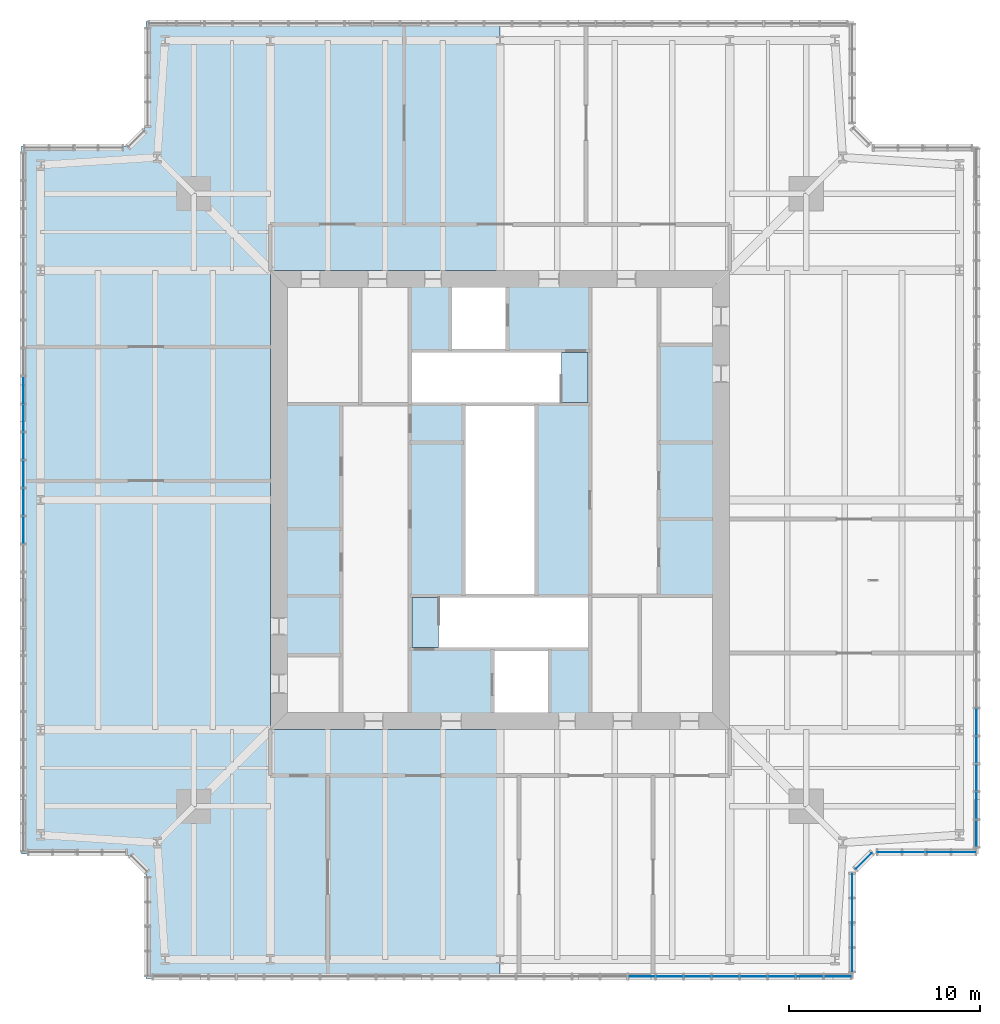
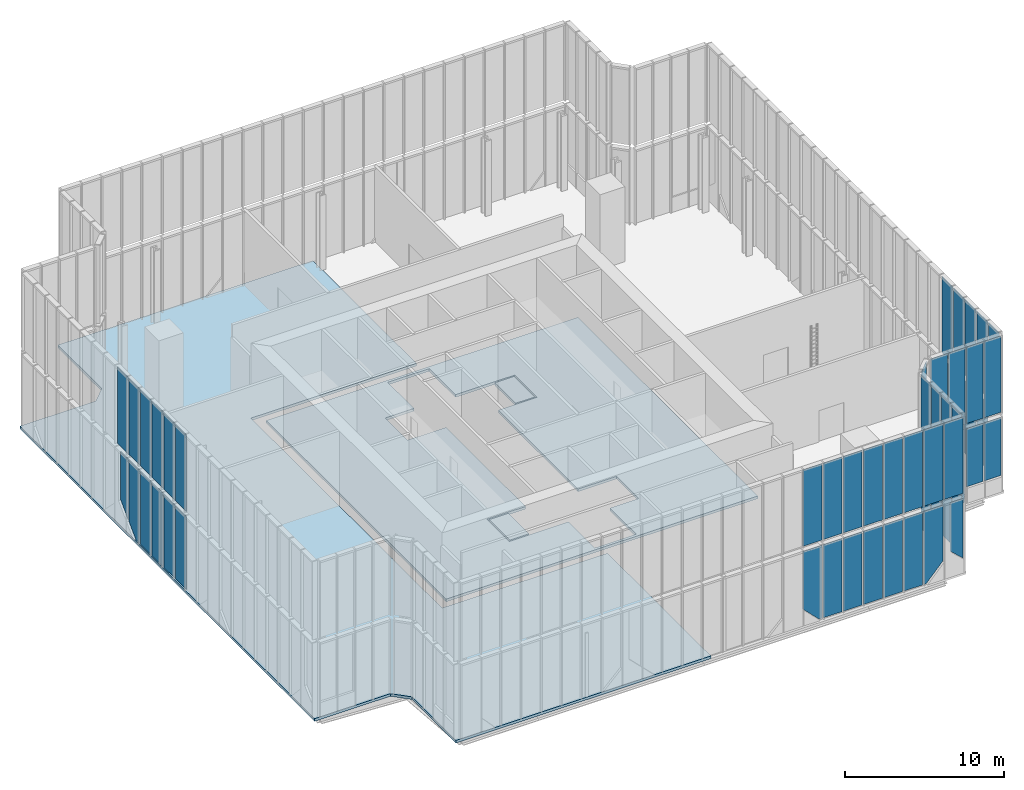
# One storey, part 14 of 25: 55 plates, 4 slabs, 12 elements without a shape of their own.
"""IFC4 building model written with IfcOpenShell, lengths in metres."""

from ifc_helpers import new_model, si_unit, direction, frame, origin, origin_2d, place, context, subcontext, project, spatial, polyline, rectangle, outline, extrude, material, layer, layer_set, type_object, element, aggregate, save


model = new_model("IFC4")

# Units and contexts
model_context = context("Model", 3, precision=1e-05, world=origin(), true_north=direction((0.0, 1.0)))
body_context = subcontext(model_context, "Body", "Model", "MODEL_VIEW")
ifc_project = project(units=[si_unit("LENGTHUNIT", "METRE"), si_unit("AREAUNIT", "SQUARE_METRE"), si_unit("VOLUMEUNIT", "CUBIC_METRE"), si_unit("PLANEANGLEUNIT", "RADIAN"), si_unit("MASSUNIT", "GRAM", prefix="KILO")], contexts=[model_context])

# Site, building, storey
site_placement = place(None, origin())
site = spatial("IfcSite", under=ifc_project, at=site_placement, CompositionType="ELEMENT")
building_placement = place(site_placement, origin())
building = spatial("IfcBuilding", under=site, at=building_placement, Name="Fenwick Lantern Interchange", CompositionType="ELEMENT")
storey_placement = place(building_placement, frame((0.0, 0.0, 307.800048828125)))
storey = spatial("IfcBuildingStorey", under=building, at=storey_placement, Name="L74", CompositionType="ELEMENT", Elevation=307.800048828125)

# Slabs
ifc_material_1 = material(Name="Concrete f'c 35 MPa", Category="concrete")
ifc_layer_1 = layer(ifc_material_1, 0.199951171875)
ifc_layer_set_1 = layer_set([ifc_layer_1], Name="CORE FLOOR SLAB 200")
slab_type_1 = type_object("IfcSlabType", Name="CORE FLOOR SLAB 200", PredefinedType="FLOOR", material=ifc_layer_set_1)
slab_1_placement = place(storey_placement, frame((0.0, 0.0, -0.199951171875)))
element("IfcSlab", 1, at=slab_1_placement, inside=storey, type_object=slab_type_1, Name="L74/SLAB/CORE", PredefinedType="FLOOR", context=body_context, shape_type="SweptSolid", body=[
    extrude(outline(polyline([(13.699951171875, 36.300048828125), (36.300048828125, 36.300048828125), (36.300048828125, 13.699951171875), (13.699951171875, 13.699951171875), (13.699951171875, 36.300048828125)]), holes=[polyline([(27.60009765625, 13.89990234375), (27.60009765625, 17.199951171875), (29.699951171875, 17.199951171875), (29.699951171875, 20.0), (26.89990234375, 20.0), (26.89990234375, 30.0), (29.699951171875, 30.0), (29.699951171875, 32.800048828125), (25.39990234375, 32.800048828125), (25.39990234375, 36.10009765625), (22.39990234375, 36.10009765625), (22.39990234375, 32.800048828125), (20.300048828125, 32.800048828125), (20.300048828125, 30.0), (23.10009765625, 30.0), (23.10009765625, 20.0), (20.300048828125, 20.0), (20.300048828125, 17.199951171875), (24.60009765625, 17.199951171875), (24.60009765625, 13.89990234375), (27.60009765625, 13.89990234375)])]), origin(), (0.0, 0.0, 1.0), 0.199951171875),
])
ifc_material_2 = material(Name="Concrete f'c 35 MPa", Category="concrete")
ifc_layer_2 = layer(ifc_material_2, 0.199951171875)
ifc_layer_set_2 = layer_set([ifc_layer_2], Name="Concrete f'c 35 MPa")
slab_type_2 = type_object("IfcSlabType", Name="FLOOR SLAB 200", PredefinedType="FLOOR", material=ifc_layer_set_2)
slab_2_placement = place(storey_placement, frame((0.0, 0.0, -0.199951171875)))
element("IfcSlab", 2, at=slab_2_placement, inside=storey, type_object=slab_type_2, Name="L74/SLAB/FW", PredefinedType="FLOOR", context=body_context, shape_type="SweptSolid", body=[
    extrude(outline(polyline([(6.5, 0.0), (6.5, 5.5), (5.5, 6.5), (0.0, 6.5), (0.0, 43.5), (5.5, 43.5), (6.5, 44.5), (6.5, 50.0), (25.0, 50.0), (25.0, 37.0), (13.0, 37.0), (13.0, 13.0), (25.0, 13.0), (25.0, 0.0), (6.5, 0.0)])), origin(), (0.0, 0.0, 1.0), 0.199951171875),
])

# Curtain wall, plates
ifc_material_3 = material(Name="Aluminium curtain wall frame", Category="aluminium")
curtain_wall_type = type_object("IfcCurtainWallType", Name="LANTERN GLAZING", PredefinedType="USERDEFINED", material=ifc_material_3)
curtain_wall_1_placement = place(storey_placement, origin())
curtain_wall_1 = element("IfcCurtainWall", 3, at=curtain_wall_1_placement, inside=storey, type_object=curtain_wall_type, Name="Lantern glazing 01", ObjectType="LANTERN GLAZING", PredefinedType="USERDEFINED")
ifc_material_4 = material(Name="Lantern glass, fritted laminated single glazing", Category="glass")
ifc_layer_3 = layer(ifc_material_4, 0.02197265625)
ifc_layer_set_3 = layer_set([ifc_layer_3], Name="LANTERN GLAZING PANEL 22")
plate_type = type_object("IfcPlateType", Name="LANTERN GLAZING PANEL 22", PredefinedType="CURTAIN_PANEL", material=ifc_layer_set_3)
plate_1_placement = place(storey_placement, frame((6.60009765625, 0.10009765625, 0.0), z_axis=(0.0, 0.0, 1.0), x_axis=(1.0, 0.0, 0.0)))
plate_1 = element("IfcPlate", 4, at=plate_1_placement, type_object=plate_type, Name="L74/CW/01/P17a", PredefinedType="CURTAIN_PANEL", context=body_context, shape_type="SweptSolid", body=[
    extrude(outline(polyline([(26.295654296875, 0.0), (26.494384765625, 0.0), (26.494384765625, 5.60986328125), (25.113525390625, 5.60986328125), (25.113525390625, 1.181884765625), (26.295654296875, 0.0)])), frame((0.0, 0.010986328125, 0.0), z_axis=(0.0, -1.0, 0.0), x_axis=(1.0, 0.0, 0.0)), (0.0, 0.0, 1.0), 0.02197265625),
])
plate_2_placement = place(storey_placement, frame((33.86474609375, 0.10009765625, 0.0), z_axis=(0.0, 0.0, 1.0), x_axis=(1.0, 0.0, 0.0)))
plate_2 = element("IfcPlate", 5, at=plate_2_placement, type_object=plate_type, Name="L74/CW/01/P18", PredefinedType="CURTAIN_PANEL", context=body_context, shape_type="SweptSolid", body=[
    extrude(rectangle(XDim=1.380859375, YDim=0.02197265625, at=origin_2d()), origin(), (0.0, 0.0, 1.0), 5.610107421875),
])
plate_3_placement = place(storey_placement, frame((35.32568359375, 0.10009765625, 0.0), z_axis=(0.0, 0.0, 1.0), x_axis=(1.0, 0.0, 0.0)))
plate_3 = element("IfcPlate", 6, at=plate_3_placement, type_object=plate_type, Name="L74/CW/01/P19", PredefinedType="CURTAIN_PANEL", context=body_context, shape_type="SweptSolid", body=[
    extrude(rectangle(XDim=1.380859375, YDim=0.02197265625, at=origin_2d()), origin(), (0.0, 0.0, 1.0), 5.610107421875),
])
plate_4_placement = place(storey_placement, frame((36.786376953125, 0.10009765625, 0.0), z_axis=(0.0, 0.0, 1.0), x_axis=(1.0, 0.0, 0.0)))
plate_4 = element("IfcPlate", 7, at=plate_4_placement, type_object=plate_type, Name="L74/CW/01/P20", PredefinedType="CURTAIN_PANEL", context=body_context, shape_type="SweptSolid", body=[
    extrude(rectangle(XDim=1.380859375, YDim=0.02197265625, at=origin_2d()), origin(), (0.0, 0.0, 1.0), 5.610107421875),
])
plate_5_placement = place(storey_placement, frame((38.247314453125, 0.10009765625, 0.0), z_axis=(0.0, 0.0, 1.0), x_axis=(1.0, 0.0, 0.0)))
plate_5 = element("IfcPlate", 8, at=plate_5_placement, type_object=plate_type, Name="L74/CW/01/P21", PredefinedType="CURTAIN_PANEL", context=body_context, shape_type="SweptSolid", body=[
    extrude(rectangle(XDim=1.380859375, YDim=0.02197265625, at=origin_2d()), origin(), (0.0, 0.0, 1.0), 5.610107421875),
])
plate_6_placement = place(storey_placement, frame((39.7080078125, 0.10009765625, 0.0), z_axis=(0.0, 0.0, 1.0), x_axis=(1.0, 0.0, 0.0)))
plate_6 = element("IfcPlate", 9, at=plate_6_placement, type_object=plate_type, Name="L74/CW/01/P22", PredefinedType="CURTAIN_PANEL", context=body_context, shape_type="SweptSolid", body=[
    extrude(rectangle(XDim=1.380859375, YDim=0.02197265625, at=origin_2d()), origin(), (0.0, 0.0, 1.0), 5.610107421875),
])
plate_7_placement = place(storey_placement, frame((6.60009765625, 0.10009765625, 0.0), z_axis=(0.0, 0.0, 1.0), x_axis=(1.0, 0.0, 0.0)))
plate_7 = element("IfcPlate", 10, at=plate_7_placement, type_object=plate_type, Name="L74/CW/01/P23a", PredefinedType="CURTAIN_PANEL", context=body_context, shape_type="SweptSolid", body=[
    extrude(outline(polyline([(33.87841796875, 0.0), (34.053955078125, 0.0), (35.25927734375, 1.314697265625), (35.25927734375, 5.60986328125), (33.87841796875, 5.60986328125), (33.87841796875, 0.0)])), frame((0.0, 0.010986328125, 0.0), z_axis=(0.0, -1.0, 0.0), x_axis=(1.0, 0.0, 0.0)), (0.0, 0.0, 1.0), 0.02197265625),
])
plate_8_placement = place(storey_placement, frame((6.60009765625, 0.10009765625, 1.0400390625), z_axis=(0.0, 0.0, 1.0), x_axis=(1.0, 0.0, 0.0)))
plate_8 = element("IfcPlate", 11, at=plate_8_placement, type_object=plate_type, Name="L74/CW/01/P24a", PredefinedType="CURTAIN_PANEL", context=body_context, shape_type="SweptSolid", body=[
    extrude(outline(polyline([(36.719970703125, 0.0), (36.719970703125, 4.56982421875), (35.789306640625, 4.56982421875), (35.789306640625, 0.85302734375), (36.719970703125, 0.0)])), frame((0.0, 0.010986328125, 0.0), z_axis=(0.0, -1.0, 0.0), x_axis=(1.0, 0.0, 0.0)), (0.0, 0.0, 1.0), 0.02197265625),
])
aggregate(curtain_wall_1, [plate_1, plate_2, plate_3, plate_4, plate_5, plate_6, plate_7, plate_8])

curtain_wall_2_placement = place(storey_placement, origin())
curtain_wall_2 = element("IfcCurtainWall", 12, at=curtain_wall_2_placement, inside=storey, type_object=curtain_wall_type, Name="Lantern glazing 02", ObjectType="LANTERN GLAZING", PredefinedType="USERDEFINED")
plate_9_placement = place(storey_placement, frame((43.39990234375, 0.10009765625, 1.14990234375), z_axis=(0.0, 0.0, 1.0), x_axis=(0.0, 1.0, 0.0)))
plate_9 = element("IfcPlate", 13, at=plate_9_placement, type_object=plate_type, Name="L74/CW/02/P00a", PredefinedType="CURTAIN_PANEL", context=body_context, shape_type="SweptSolid", body=[
    extrude(outline(polyline([(0.280029296875, 0.0), (1.490234375, 0.0), (1.490234375, 4.4599609375), (0.280029296875, 4.4599609375), (0.280029296875, 0.0)])), frame((0.0, 0.010986328125, 0.0), z_axis=(0.0, -1.0, 0.0), x_axis=(1.0, 0.0, 0.0)), (0.0, 0.0, 1.0), 0.02197265625),
])
plate_10_placement = place(storey_placement, frame((43.39990234375, 0.10009765625, 1.14990234375), z_axis=(0.0, 0.0, 1.0), x_axis=(0.0, 1.0, 0.0)))
plate_10 = element("IfcPlate", 14, at=plate_10_placement, type_object=plate_type, Name="L74/CW/02/P01a", PredefinedType="CURTAIN_PANEL", context=body_context, shape_type="SweptSolid", body=[
    extrude(outline(polyline([(1.5703125, 0.0), (2.699951171875, 0.0), (2.699951171875, 4.4599609375), (1.5703125, 4.4599609375), (1.5703125, 0.0)])), frame((0.0, 0.010986328125, 0.0), z_axis=(0.0, -1.0, 0.0), x_axis=(1.0, 0.0, 0.0)), (0.0, 0.0, 1.0), 0.02197265625),
])
plate_11_placement = place(storey_placement, frame((43.39990234375, 3.56591796875, 0.0), z_axis=(0.0, 0.0, 1.0), x_axis=(0.0, 1.0, 0.0)))
plate_11 = element("IfcPlate", 15, at=plate_11_placement, type_object=plate_type, Name="L74/CW/02/P02", PredefinedType="CURTAIN_PANEL", context=body_context, shape_type="SweptSolid", body=[
    extrude(rectangle(XDim=1.21044921875, YDim=0.02197265625, at=origin_2d()), origin(), (0.0, 0.0, 1.0), 5.610107421875),
])
plate_12_placement = place(storey_placement, frame((43.39990234375, 4.856201171875, 0.0), z_axis=(0.0, 0.0, 1.0), x_axis=(0.0, 1.0, 0.0)))
plate_12 = element("IfcPlate", 16, at=plate_12_placement, type_object=plate_type, Name="L74/CW/02/P03", PredefinedType="CURTAIN_PANEL", context=body_context, shape_type="SweptSolid", body=[
    extrude(rectangle(XDim=1.21044921875, YDim=0.02197265625, at=origin_2d()), origin(), (0.0, 0.0, 1.0), 5.610107421875),
])
aggregate(curtain_wall_2, [plate_9, plate_10, plate_11, plate_12])

# Curtain wall, plate
curtain_wall_3_placement = place(storey_placement, origin())
curtain_wall_3 = element("IfcCurtainWall", 17, at=curtain_wall_3_placement, inside=storey, type_object=curtain_wall_type, Name="Lantern glazing 03", ObjectType="LANTERN GLAZING", PredefinedType="USERDEFINED")
plate_13_placement = place(storey_placement, frame((44.0, 6.141357421875, 0.0), z_axis=(0.0, 0.0, 1.0), x_axis=(0.707106781187, 0.707106781187, 0.0)))
plate_13 = element("IfcPlate", 18, at=plate_13_placement, type_object=plate_type, Name="L74/CW/03/P00", PredefinedType="CURTAIN_PANEL", context=body_context, shape_type="SweptSolid", body=[
    extrude(rectangle(XDim=1.136962890625, YDim=0.02197265625, at=origin_2d()), origin(), (0.0, 0.0, 1.0), 5.610107421875),
])
aggregate(curtain_wall_3, [plate_13])

# Curtain wall, plates
curtain_wall_4_placement = place(storey_placement, origin())
curtain_wall_4 = element("IfcCurtainWall", 19, at=curtain_wall_4_placement, inside=storey, type_object=curtain_wall_type, Name="Lantern glazing 04", ObjectType="LANTERN GLAZING", PredefinedType="USERDEFINED")
plate_14_placement = place(storey_placement, frame((45.34375, 6.60009765625, 0.0), z_axis=(0.0, 0.0, 1.0), x_axis=(1.0, 0.0, 0.0)))
plate_14 = element("IfcPlate", 20, at=plate_14_placement, type_object=plate_type, Name="L74/CW/04/P00", PredefinedType="CURTAIN_PANEL", context=body_context, shape_type="SweptSolid", body=[
    extrude(rectangle(XDim=1.21044921875, YDim=0.02197265625, at=origin_2d()), origin(), (0.0, 0.0, 1.0), 5.610107421875),
])
plate_15_placement = place(storey_placement, frame((44.45849609375, 6.60009765625, 0.0), z_axis=(0.0, 0.0, 1.0), x_axis=(1.0, 0.0, 0.0)))
plate_15 = element("IfcPlate", 21, at=plate_15_placement, type_object=plate_type, Name="L74/CW/04/P01a", PredefinedType="CURTAIN_PANEL", context=body_context, shape_type="SweptSolid", body=[
    extrude(outline(polyline([(1.5703125, 0.0), (2.741455078125, 0.0), (2.741455078125, 5.60986328125), (1.5703125, 5.60986328125), (1.5703125, 0.0)])), frame((0.0, 0.010986328125, 0.0), z_axis=(0.0, -1.0, 0.0), x_axis=(1.0, 0.0, 0.0)), (0.0, 0.0, 1.0), 0.02197265625),
])
plate_16_placement = place(storey_placement, frame((44.45849609375, 6.60009765625, 1.14990234375), z_axis=(0.0, 0.0, 1.0), x_axis=(1.0, 0.0, 0.0)))
plate_16 = element("IfcPlate", 22, at=plate_16_placement, type_object=plate_type, Name="L74/CW/04/P02a", PredefinedType="CURTAIN_PANEL", context=body_context, shape_type="SweptSolid", body=[
    extrude(outline(polyline([(2.860595703125, 0.0), (4.071044921875, 0.0), (4.071044921875, 4.4599609375), (2.860595703125, 4.4599609375), (2.860595703125, 0.0)])), frame((0.0, 0.010986328125, 0.0), z_axis=(0.0, -1.0, 0.0), x_axis=(1.0, 0.0, 0.0)), (0.0, 0.0, 1.0), 0.02197265625),
])
plate_17_placement = place(storey_placement, frame((44.45849609375, 6.60009765625, 1.14990234375), z_axis=(0.0, 0.0, 1.0), x_axis=(1.0, 0.0, 0.0)))
plate_17 = element("IfcPlate", 23, at=plate_17_placement, type_object=plate_type, Name="L74/CW/04/P03a", PredefinedType="CURTAIN_PANEL", context=body_context, shape_type="SweptSolid", body=[
    extrude(outline(polyline([(4.151123046875, 0.0), (5.361328125, 0.0), (5.361328125, 4.4599609375), (4.151123046875, 4.4599609375), (4.151123046875, 0.0)])), frame((0.0, 0.010986328125, 0.0), z_axis=(0.0, -1.0, 0.0), x_axis=(1.0, 0.0, 0.0)), (0.0, 0.0, 1.0), 0.02197265625),
])
aggregate(curtain_wall_4, [plate_14, plate_15, plate_16, plate_17])

curtain_wall_5_placement = place(storey_placement, origin())
curtain_wall_5 = element("IfcCurtainWall", 24, at=curtain_wall_5_placement, inside=storey, type_object=curtain_wall_type, Name="Lantern glazing 05", ObjectType="LANTERN GLAZING", PredefinedType="USERDEFINED")
plate_18_placement = place(storey_placement, frame((49.89990234375, 6.60009765625, 0.0), z_axis=(0.0, 0.0, 1.0), x_axis=(0.0, 1.0, 0.0)))
plate_18 = element("IfcPlate", 25, at=plate_18_placement, type_object=plate_type, Name="L74/CW/05/P01a", PredefinedType="CURTAIN_PANEL", context=body_context, shape_type="SweptSolid", body=[
    extrude(outline(polyline([(2.74609375, 0.0), (3.12158203125, 0.0), (3.12158203125, 5.60986328125), (1.74072265625, 5.60986328125), (1.74072265625, 1.096435546875), (2.74609375, 0.0)])), frame((0.0, 0.010986328125, 0.0), z_axis=(0.0, -1.0, 0.0), x_axis=(1.0, 0.0, 0.0)), (0.0, 0.0, 1.0), 0.02197265625),
])
plate_19_placement = place(storey_placement, frame((49.89990234375, 10.491943359375, 0.0), z_axis=(0.0, 0.0, 1.0), x_axis=(0.0, 1.0, 0.0)))
plate_19 = element("IfcPlate", 26, at=plate_19_placement, type_object=plate_type, Name="L74/CW/05/P02", PredefinedType="CURTAIN_PANEL", context=body_context, shape_type="SweptSolid", body=[
    extrude(rectangle(XDim=1.380859375, YDim=0.02197265625, at=origin_2d()), origin(), (0.0, 0.0, 1.0), 5.610107421875),
])
plate_20_placement = place(storey_placement, frame((49.89990234375, 11.952880859375, 0.0), z_axis=(0.0, 0.0, 1.0), x_axis=(0.0, 1.0, 0.0)))
plate_20 = element("IfcPlate", 27, at=plate_20_placement, type_object=plate_type, Name="L74/CW/05/P03", PredefinedType="CURTAIN_PANEL", context=body_context, shape_type="SweptSolid", body=[
    extrude(rectangle(XDim=1.380859375, YDim=0.02197265625, at=origin_2d()), origin(), (0.0, 0.0, 1.0), 5.610107421875),
])
plate_21_placement = place(storey_placement, frame((49.89990234375, 13.41357421875, 0.0), z_axis=(0.0, 0.0, 1.0), x_axis=(0.0, 1.0, 0.0)))
plate_21 = element("IfcPlate", 28, at=plate_21_placement, type_object=plate_type, Name="L74/CW/05/P04", PredefinedType="CURTAIN_PANEL", context=body_context, shape_type="SweptSolid", body=[
    extrude(rectangle(XDim=1.380859375, YDim=0.02197265625, at=origin_2d()), origin(), (0.0, 0.0, 1.0), 5.610107421875),
])
aggregate(curtain_wall_5, [plate_18, plate_19, plate_20, plate_21])

curtain_wall_6_placement = place(storey_placement, origin())
curtain_wall_6 = element("IfcCurtainWall", 29, at=curtain_wall_6_placement, inside=storey, type_object=curtain_wall_type, Name="Lantern glazing 13", ObjectType="LANTERN GLAZING", PredefinedType="USERDEFINED")
plate_22_placement = place(storey_placement, frame((0.10009765625, 43.39990234375, 0.9482421875), z_axis=(0.0, 0.0, 1.0), x_axis=(0.0, -1.0, 0.0)))
plate_22 = element("IfcPlate", 30, at=plate_22_placement, type_object=plate_type, Name="L74/CW/13/P08a", PredefinedType="CURTAIN_PANEL", context=body_context, shape_type="SweptSolid", body=[
    extrude(outline(polyline([(13.34716796875, 0.0), (13.34716796875, 4.66162109375), (12.39990234375, 4.66162109375), (12.39990234375, 0.947265625), (13.34716796875, 0.0)])), frame((0.0, 0.010986328125, 0.0), z_axis=(0.0, -1.0, 0.0), x_axis=(1.0, 0.0, 0.0)), (0.0, 0.0, 1.0), 0.02197265625),
])
plate_23_placement = place(storey_placement, frame((0.10009765625, 43.39990234375, 0.0), z_axis=(0.0, 0.0, 1.0), x_axis=(0.0, -1.0, 0.0)))
plate_23 = element("IfcPlate", 31, at=plate_23_placement, type_object=plate_type, Name="L74/CW/13/P09a", PredefinedType="CURTAIN_PANEL", context=body_context, shape_type="SweptSolid", body=[
    extrude(outline(polyline([(14.295654296875, 0.0), (14.80810546875, 0.0), (14.80810546875, 5.60986328125), (13.42724609375, 5.60986328125), (13.42724609375, 0.868408203125), (14.295654296875, 0.0)])), frame((0.0, 0.010986328125, 0.0), z_axis=(0.0, -1.0, 0.0), x_axis=(1.0, 0.0, 0.0)), (0.0, 0.0, 1.0), 0.02197265625),
])
plate_24_placement = place(storey_placement, frame((0.10009765625, 27.821533203125, 0.0), z_axis=(0.0, 0.0, 1.0), x_axis=(0.0, -1.0, 0.0)))
plate_24 = element("IfcPlate", 32, at=plate_24_placement, type_object=plate_type, Name="L74/CW/13/P10", PredefinedType="CURTAIN_PANEL", context=body_context, shape_type="SweptSolid", body=[
    extrude(rectangle(XDim=1.380859375, YDim=0.02197265625, at=origin_2d()), origin(), (0.0, 0.0, 1.0), 5.610107421875),
])
plate_25_placement = place(storey_placement, frame((0.10009765625, 26.36083984375, 0.0), z_axis=(0.0, 0.0, 1.0), x_axis=(0.0, -1.0, 0.0)))
plate_25 = element("IfcPlate", 33, at=plate_25_placement, type_object=plate_type, Name="L74/CW/13/P11", PredefinedType="CURTAIN_PANEL", context=body_context, shape_type="SweptSolid", body=[
    extrude(rectangle(XDim=1.380859375, YDim=0.02197265625, at=origin_2d()), origin(), (0.0, 0.0, 1.0), 5.610107421875),
])
plate_26_placement = place(storey_placement, frame((0.10009765625, 24.89990234375, 0.0), z_axis=(0.0, 0.0, 1.0), x_axis=(0.0, -1.0, 0.0)))
plate_26 = element("IfcPlate", 34, at=plate_26_placement, type_object=plate_type, Name="L74/CW/13/P12", PredefinedType="CURTAIN_PANEL", context=body_context, shape_type="SweptSolid", body=[
    extrude(rectangle(XDim=1.380859375, YDim=0.02197265625, at=origin_2d()), origin(), (0.0, 0.0, 1.0), 5.610107421875),
])
plate_27_placement = place(storey_placement, frame((0.10009765625, 23.439208984375, 0.0), z_axis=(0.0, 0.0, 1.0), x_axis=(0.0, -1.0, 0.0)))
plate_27 = element("IfcPlate", 35, at=plate_27_placement, type_object=plate_type, Name="L74/CW/13/P13", PredefinedType="CURTAIN_PANEL", context=body_context, shape_type="SweptSolid", body=[
    extrude(rectangle(XDim=1.380859375, YDim=0.02197265625, at=origin_2d()), origin(), (0.0, 0.0, 1.0), 5.610107421875),
])
aggregate(curtain_wall_6, [plate_22, plate_23, plate_24, plate_25, plate_26, plate_27])

curtain_wall_7_placement = place(storey_placement, origin())
curtain_wall_7 = element("IfcCurtainWall", 36, at=curtain_wall_7_placement, inside=storey, type_object=curtain_wall_type, Name="Lantern glazing 01", ObjectType="LANTERN GLAZING", PredefinedType="USERDEFINED")
plate_28_placement = place(storey_placement, frame((32.404052734375, 0.10009765625, 6.0), z_axis=(0.0, 0.0, 1.0), x_axis=(1.0, 0.0, 0.0)))
plate_28 = element("IfcPlate", 37, at=plate_28_placement, type_object=plate_type, Name="RF/LANTERN/01/P17", PredefinedType="CURTAIN_PANEL", context=body_context, shape_type="SweptSolid", body=[
    extrude(rectangle(XDim=1.380859375, YDim=0.02197265625, at=origin_2d()), origin(), (0.0, 0.0, 1.0), 5.860107421875),
])
plate_29_placement = place(storey_placement, frame((33.86474609375, 0.10009765625, 6.0), z_axis=(0.0, 0.0, 1.0), x_axis=(1.0, 0.0, 0.0)))
plate_29 = element("IfcPlate", 38, at=plate_29_placement, type_object=plate_type, Name="RF/LANTERN/01/P18", PredefinedType="CURTAIN_PANEL", context=body_context, shape_type="SweptSolid", body=[
    extrude(rectangle(XDim=1.380859375, YDim=0.02197265625, at=origin_2d()), origin(), (0.0, 0.0, 1.0), 5.860107421875),
])
plate_30_placement = place(storey_placement, frame((35.32568359375, 0.10009765625, 6.0), z_axis=(0.0, 0.0, 1.0), x_axis=(1.0, 0.0, 0.0)))
plate_30 = element("IfcPlate", 39, at=plate_30_placement, type_object=plate_type, Name="RF/LANTERN/01/P19", PredefinedType="CURTAIN_PANEL", context=body_context, shape_type="SweptSolid", body=[
    extrude(rectangle(XDim=1.380859375, YDim=0.02197265625, at=origin_2d()), origin(), (0.0, 0.0, 1.0), 5.860107421875),
])
plate_31_placement = place(storey_placement, frame((36.786376953125, 0.10009765625, 6.0), z_axis=(0.0, 0.0, 1.0), x_axis=(1.0, 0.0, 0.0)))
plate_31 = element("IfcPlate", 40, at=plate_31_placement, type_object=plate_type, Name="RF/LANTERN/01/P20", PredefinedType="CURTAIN_PANEL", context=body_context, shape_type="SweptSolid", body=[
    extrude(rectangle(XDim=1.380859375, YDim=0.02197265625, at=origin_2d()), origin(), (0.0, 0.0, 1.0), 5.860107421875),
])
plate_32_placement = place(storey_placement, frame((38.247314453125, 0.10009765625, 6.0), z_axis=(0.0, 0.0, 1.0), x_axis=(1.0, 0.0, 0.0)))
plate_32 = element("IfcPlate", 41, at=plate_32_placement, type_object=plate_type, Name="RF/LANTERN/01/P21", PredefinedType="CURTAIN_PANEL", context=body_context, shape_type="SweptSolid", body=[
    extrude(rectangle(XDim=1.380859375, YDim=0.02197265625, at=origin_2d()), origin(), (0.0, 0.0, 1.0), 5.860107421875),
])
plate_33_placement = place(storey_placement, frame((39.7080078125, 0.10009765625, 6.0), z_axis=(0.0, 0.0, 1.0), x_axis=(1.0, 0.0, 0.0)))
plate_33 = element("IfcPlate", 42, at=plate_33_placement, type_object=plate_type, Name="RF/LANTERN/01/P22", PredefinedType="CURTAIN_PANEL", context=body_context, shape_type="SweptSolid", body=[
    extrude(rectangle(XDim=1.380859375, YDim=0.02197265625, at=origin_2d()), origin(), (0.0, 0.0, 1.0), 5.860107421875),
])
plate_34_placement = place(storey_placement, frame((41.168701171875, 0.10009765625, 6.0), z_axis=(0.0, 0.0, 1.0), x_axis=(1.0, 0.0, 0.0)))
plate_34 = element("IfcPlate", 43, at=plate_34_placement, type_object=plate_type, Name="RF/LANTERN/01/P23", PredefinedType="CURTAIN_PANEL", context=body_context, shape_type="SweptSolid", body=[
    extrude(rectangle(XDim=1.380859375, YDim=0.02197265625, at=origin_2d()), origin(), (0.0, 0.0, 1.0), 5.860107421875),
])
plate_35_placement = place(storey_placement, frame((42.629638671875, 0.10009765625, 6.0), z_axis=(0.0, 0.0, 1.0), x_axis=(1.0, 0.0, 0.0)))
plate_35 = element("IfcPlate", 44, at=plate_35_placement, type_object=plate_type, Name="RF/LANTERN/01/P24", PredefinedType="CURTAIN_PANEL", context=body_context, shape_type="SweptSolid", body=[
    extrude(rectangle(XDim=1.380859375, YDim=0.02197265625, at=origin_2d()), origin(), (0.0, 0.0, 1.0), 5.860107421875),
])
aggregate(curtain_wall_7, [plate_28, plate_29, plate_30, plate_31, plate_32, plate_33, plate_34, plate_35])

curtain_wall_8_placement = place(storey_placement, origin())
curtain_wall_8 = element("IfcCurtainWall", 45, at=curtain_wall_8_placement, inside=storey, type_object=curtain_wall_type, Name="Lantern glazing 02", ObjectType="LANTERN GLAZING", PredefinedType="USERDEFINED")
plate_36_placement = place(storey_placement, frame((43.39990234375, 0.985107421875, 6.0), z_axis=(0.0, 0.0, 1.0), x_axis=(0.0, 1.0, 0.0)))
plate_36 = element("IfcPlate", 46, at=plate_36_placement, type_object=plate_type, Name="RF/LANTERN/02/P00", PredefinedType="CURTAIN_PANEL", context=body_context, shape_type="SweptSolid", body=[
    extrude(rectangle(XDim=1.21044921875, YDim=0.02197265625, at=origin_2d()), origin(), (0.0, 0.0, 1.0), 5.860107421875),
])
plate_37_placement = place(storey_placement, frame((43.39990234375, 2.275634765625, 6.0), z_axis=(0.0, 0.0, 1.0), x_axis=(0.0, 1.0, 0.0)))
plate_37 = element("IfcPlate", 47, at=plate_37_placement, type_object=plate_type, Name="RF/LANTERN/02/P01", PredefinedType="CURTAIN_PANEL", context=body_context, shape_type="SweptSolid", body=[
    extrude(rectangle(XDim=1.21044921875, YDim=0.02197265625, at=origin_2d()), origin(), (0.0, 0.0, 1.0), 5.860107421875),
])
plate_38_placement = place(storey_placement, frame((43.39990234375, 3.56591796875, 6.0), z_axis=(0.0, 0.0, 1.0), x_axis=(0.0, 1.0, 0.0)))
plate_38 = element("IfcPlate", 48, at=plate_38_placement, type_object=plate_type, Name="RF/LANTERN/02/P02", PredefinedType="CURTAIN_PANEL", context=body_context, shape_type="SweptSolid", body=[
    extrude(rectangle(XDim=1.21044921875, YDim=0.02197265625, at=origin_2d()), origin(), (0.0, 0.0, 1.0), 5.860107421875),
])
plate_39_placement = place(storey_placement, frame((43.39990234375, 4.856201171875, 6.0), z_axis=(0.0, 0.0, 1.0), x_axis=(0.0, 1.0, 0.0)))
plate_39 = element("IfcPlate", 49, at=plate_39_placement, type_object=plate_type, Name="RF/LANTERN/02/P03", PredefinedType="CURTAIN_PANEL", context=body_context, shape_type="SweptSolid", body=[
    extrude(rectangle(XDim=1.21044921875, YDim=0.02197265625, at=origin_2d()), origin(), (0.0, 0.0, 1.0), 5.860107421875),
])
aggregate(curtain_wall_8, [plate_36, plate_37, plate_38, plate_39])

# Curtain wall, plate
curtain_wall_9_placement = place(storey_placement, origin())
curtain_wall_9 = element("IfcCurtainWall", 50, at=curtain_wall_9_placement, inside=storey, type_object=curtain_wall_type, Name="Lantern glazing 03", ObjectType="LANTERN GLAZING", PredefinedType="USERDEFINED")
plate_40_placement = place(storey_placement, frame((44.0, 6.141357421875, 6.0), z_axis=(0.0, 0.0, 1.0), x_axis=(0.707106781187, 0.707106781187, 0.0)))
plate_40 = element("IfcPlate", 51, at=plate_40_placement, type_object=plate_type, Name="RF/LANTERN/03/P00", PredefinedType="CURTAIN_PANEL", context=body_context, shape_type="SweptSolid", body=[
    extrude(rectangle(XDim=1.136962890625, YDim=0.02197265625, at=origin_2d()), origin(), (0.0, 0.0, 1.0), 5.860107421875),
])
aggregate(curtain_wall_9, [plate_40])

# Curtain wall, plates
curtain_wall_10_placement = place(storey_placement, origin())
curtain_wall_10 = element("IfcCurtainWall", 52, at=curtain_wall_10_placement, inside=storey, type_object=curtain_wall_type, Name="Lantern glazing 04", ObjectType="LANTERN GLAZING", PredefinedType="USERDEFINED")
plate_41_placement = place(storey_placement, frame((45.34375, 6.60009765625, 6.0), z_axis=(0.0, 0.0, 1.0), x_axis=(1.0, 0.0, 0.0)))
plate_41 = element("IfcPlate", 53, at=plate_41_placement, type_object=plate_type, Name="RF/LANTERN/04/P00", PredefinedType="CURTAIN_PANEL", context=body_context, shape_type="SweptSolid", body=[
    extrude(rectangle(XDim=1.21044921875, YDim=0.02197265625, at=origin_2d()), origin(), (0.0, 0.0, 1.0), 5.860107421875),
])
plate_42_placement = place(storey_placement, frame((46.634033203125, 6.60009765625, 6.0), z_axis=(0.0, 0.0, 1.0), x_axis=(1.0, 0.0, 0.0)))
plate_42 = element("IfcPlate", 54, at=plate_42_placement, type_object=plate_type, Name="RF/LANTERN/04/P01", PredefinedType="CURTAIN_PANEL", context=body_context, shape_type="SweptSolid", body=[
    extrude(rectangle(XDim=1.21044921875, YDim=0.02197265625, at=origin_2d()), origin(), (0.0, 0.0, 1.0), 5.860107421875),
])
plate_43_placement = place(storey_placement, frame((47.924560546875, 6.60009765625, 6.0), z_axis=(0.0, 0.0, 1.0), x_axis=(1.0, 0.0, 0.0)))
plate_43 = element("IfcPlate", 55, at=plate_43_placement, type_object=plate_type, Name="RF/LANTERN/04/P02", PredefinedType="CURTAIN_PANEL", context=body_context, shape_type="SweptSolid", body=[
    extrude(rectangle(XDim=1.21044921875, YDim=0.02197265625, at=origin_2d()), origin(), (0.0, 0.0, 1.0), 5.860107421875),
])
plate_44_placement = place(storey_placement, frame((49.21484375, 6.60009765625, 6.0), z_axis=(0.0, 0.0, 1.0), x_axis=(1.0, 0.0, 0.0)))
plate_44 = element("IfcPlate", 56, at=plate_44_placement, type_object=plate_type, Name="RF/LANTERN/04/P03", PredefinedType="CURTAIN_PANEL", context=body_context, shape_type="SweptSolid", body=[
    extrude(rectangle(XDim=1.21044921875, YDim=0.02197265625, at=origin_2d()), origin(), (0.0, 0.0, 1.0), 5.860107421875),
])
aggregate(curtain_wall_10, [plate_41, plate_42, plate_43, plate_44])

curtain_wall_11_placement = place(storey_placement, origin())
curtain_wall_11 = element("IfcCurtainWall", 57, at=curtain_wall_11_placement, inside=storey, type_object=curtain_wall_type, Name="Lantern glazing 05", ObjectType="LANTERN GLAZING", PredefinedType="USERDEFINED")
plate_45_placement = place(storey_placement, frame((49.89990234375, 7.5703125, 6.0), z_axis=(0.0, 0.0, 1.0), x_axis=(0.0, 1.0, 0.0)))
plate_45 = element("IfcPlate", 58, at=plate_45_placement, type_object=plate_type, Name="RF/LANTERN/05/P00", PredefinedType="CURTAIN_PANEL", context=body_context, shape_type="SweptSolid", body=[
    extrude(rectangle(XDim=1.380859375, YDim=0.02197265625, at=origin_2d()), origin(), (0.0, 0.0, 1.0), 5.860107421875),
])
plate_46_placement = place(storey_placement, frame((49.89990234375, 9.03125, 6.0), z_axis=(0.0, 0.0, 1.0), x_axis=(0.0, 1.0, 0.0)))
plate_46 = element("IfcPlate", 59, at=plate_46_placement, type_object=plate_type, Name="RF/LANTERN/05/P01", PredefinedType="CURTAIN_PANEL", context=body_context, shape_type="SweptSolid", body=[
    extrude(rectangle(XDim=1.380859375, YDim=0.02197265625, at=origin_2d()), origin(), (0.0, 0.0, 1.0), 5.860107421875),
])
plate_47_placement = place(storey_placement, frame((49.89990234375, 10.491943359375, 6.0), z_axis=(0.0, 0.0, 1.0), x_axis=(0.0, 1.0, 0.0)))
plate_47 = element("IfcPlate", 60, at=plate_47_placement, type_object=plate_type, Name="RF/LANTERN/05/P02", PredefinedType="CURTAIN_PANEL", context=body_context, shape_type="SweptSolid", body=[
    extrude(rectangle(XDim=1.380859375, YDim=0.02197265625, at=origin_2d()), origin(), (0.0, 0.0, 1.0), 5.860107421875),
])
plate_48_placement = place(storey_placement, frame((49.89990234375, 11.952880859375, 6.0), z_axis=(0.0, 0.0, 1.0), x_axis=(0.0, 1.0, 0.0)))
plate_48 = element("IfcPlate", 61, at=plate_48_placement, type_object=plate_type, Name="RF/LANTERN/05/P03", PredefinedType="CURTAIN_PANEL", context=body_context, shape_type="SweptSolid", body=[
    extrude(rectangle(XDim=1.380859375, YDim=0.02197265625, at=origin_2d()), origin(), (0.0, 0.0, 1.0), 5.860107421875),
])
plate_49_placement = place(storey_placement, frame((49.89990234375, 13.41357421875, 6.0), z_axis=(0.0, 0.0, 1.0), x_axis=(0.0, 1.0, 0.0)))
plate_49 = element("IfcPlate", 62, at=plate_49_placement, type_object=plate_type, Name="RF/LANTERN/05/P04", PredefinedType="CURTAIN_PANEL", context=body_context, shape_type="SweptSolid", body=[
    extrude(rectangle(XDim=1.380859375, YDim=0.02197265625, at=origin_2d()), origin(), (0.0, 0.0, 1.0), 5.860107421875),
])
aggregate(curtain_wall_11, [plate_45, plate_46, plate_47, plate_48, plate_49])

curtain_wall_12_placement = place(storey_placement, origin())
curtain_wall_12 = element("IfcCurtainWall", 63, at=curtain_wall_12_placement, inside=storey, type_object=curtain_wall_type, Name="Lantern glazing 13", ObjectType="LANTERN GLAZING", PredefinedType="USERDEFINED")
plate_50_placement = place(storey_placement, frame((0.10009765625, 30.7431640625, 6.0), z_axis=(0.0, 0.0, 1.0), x_axis=(0.0, -1.0, 0.0)))
plate_50 = element("IfcPlate", 64, at=plate_50_placement, type_object=plate_type, Name="RF/LANTERN/13/P08", PredefinedType="CURTAIN_PANEL", context=body_context, shape_type="SweptSolid", body=[
    extrude(rectangle(XDim=1.380859375, YDim=0.02197265625, at=origin_2d()), origin(), (0.0, 0.0, 1.0), 5.860107421875),
])
plate_51_placement = place(storey_placement, frame((0.10009765625, 29.282470703125, 6.0), z_axis=(0.0, 0.0, 1.0), x_axis=(0.0, -1.0, 0.0)))
plate_51 = element("IfcPlate", 65, at=plate_51_placement, type_object=plate_type, Name="RF/LANTERN/13/P09", PredefinedType="CURTAIN_PANEL", context=body_context, shape_type="SweptSolid", body=[
    extrude(rectangle(XDim=1.380859375, YDim=0.02197265625, at=origin_2d()), origin(), (0.0, 0.0, 1.0), 5.860107421875),
])
plate_52_placement = place(storey_placement, frame((0.10009765625, 27.821533203125, 6.0), z_axis=(0.0, 0.0, 1.0), x_axis=(0.0, -1.0, 0.0)))
plate_52 = element("IfcPlate", 66, at=plate_52_placement, type_object=plate_type, Name="RF/LANTERN/13/P10", PredefinedType="CURTAIN_PANEL", context=body_context, shape_type="SweptSolid", body=[
    extrude(rectangle(XDim=1.380859375, YDim=0.02197265625, at=origin_2d()), origin(), (0.0, 0.0, 1.0), 5.860107421875),
])
plate_53_placement = place(storey_placement, frame((0.10009765625, 26.36083984375, 6.0), z_axis=(0.0, 0.0, 1.0), x_axis=(0.0, -1.0, 0.0)))
plate_53 = element("IfcPlate", 67, at=plate_53_placement, type_object=plate_type, Name="RF/LANTERN/13/P11", PredefinedType="CURTAIN_PANEL", context=body_context, shape_type="SweptSolid", body=[
    extrude(rectangle(XDim=1.380859375, YDim=0.02197265625, at=origin_2d()), origin(), (0.0, 0.0, 1.0), 5.860107421875),
])
plate_54_placement = place(storey_placement, frame((0.10009765625, 24.89990234375, 6.0), z_axis=(0.0, 0.0, 1.0), x_axis=(0.0, -1.0, 0.0)))
plate_54 = element("IfcPlate", 68, at=plate_54_placement, type_object=plate_type, Name="RF/LANTERN/13/P12", PredefinedType="CURTAIN_PANEL", context=body_context, shape_type="SweptSolid", body=[
    extrude(rectangle(XDim=1.380859375, YDim=0.02197265625, at=origin_2d()), origin(), (0.0, 0.0, 1.0), 5.860107421875),
])
plate_55_placement = place(storey_placement, frame((0.10009765625, 23.439208984375, 6.0), z_axis=(0.0, 0.0, 1.0), x_axis=(0.0, -1.0, 0.0)))
plate_55 = element("IfcPlate", 69, at=plate_55_placement, type_object=plate_type, Name="RF/LANTERN/13/P13", PredefinedType="CURTAIN_PANEL", context=body_context, shape_type="SweptSolid", body=[
    extrude(rectangle(XDim=1.380859375, YDim=0.02197265625, at=origin_2d()), origin(), (0.0, 0.0, 1.0), 5.860107421875),
])
aggregate(curtain_wall_12, [plate_50, plate_51, plate_52, plate_53, plate_54, plate_55])

# Slabs
ifc_layer_4 = layer(ifc_material_1, 0.199951171875)
ifc_layer_set_4 = layer_set([ifc_layer_4], Name="STAIR LANDING 200")
slab_type_3 = type_object("IfcSlabType", Name="STAIR LANDING 200", PredefinedType="LANDING", material=ifc_layer_set_4)
slab_3_placement = place(storey_placement, frame((0.0, 0.0, -0.199951171875)))
element("IfcSlab", 70, at=slab_3_placement, inside=storey, type_object=slab_type_3, Name="ST1 top landing", PredefinedType="LANDING", context=body_context, shape_type="SweptSolid", body=[
    extrude(outline(polyline([(20.39990234375, 17.300048828125), (21.800048828125, 17.300048828125), (21.800048828125, 19.89990234375), (20.39990234375, 19.89990234375), (20.39990234375, 17.300048828125)])), origin(), (0.0, 0.0, 1.0), 0.199951171875),
])
slab_4_placement = place(storey_placement, frame((0.0, 0.0, -0.199951171875)))
element("IfcSlab", 71, at=slab_4_placement, inside=storey, type_object=slab_type_3, Name="ST2 top landing", PredefinedType="LANDING", context=body_context, shape_type="SweptSolid", body=[
    extrude(outline(polyline([(29.60009765625, 32.699951171875), (28.199951171875, 32.699951171875), (28.199951171875, 30.10009765625), (29.60009765625, 30.10009765625), (29.60009765625, 32.699951171875)])), origin(), (0.0, 0.0, 1.0), 0.199951171875),
])

save(model, "model.ifc")
